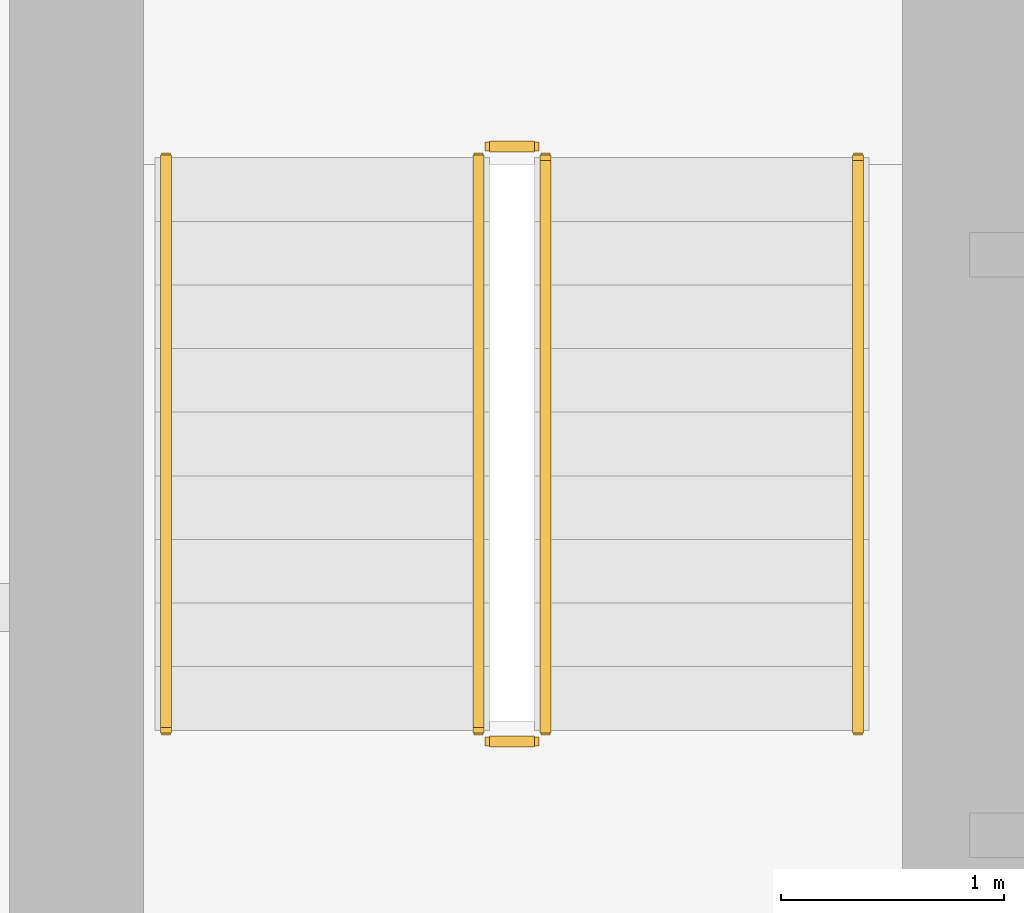
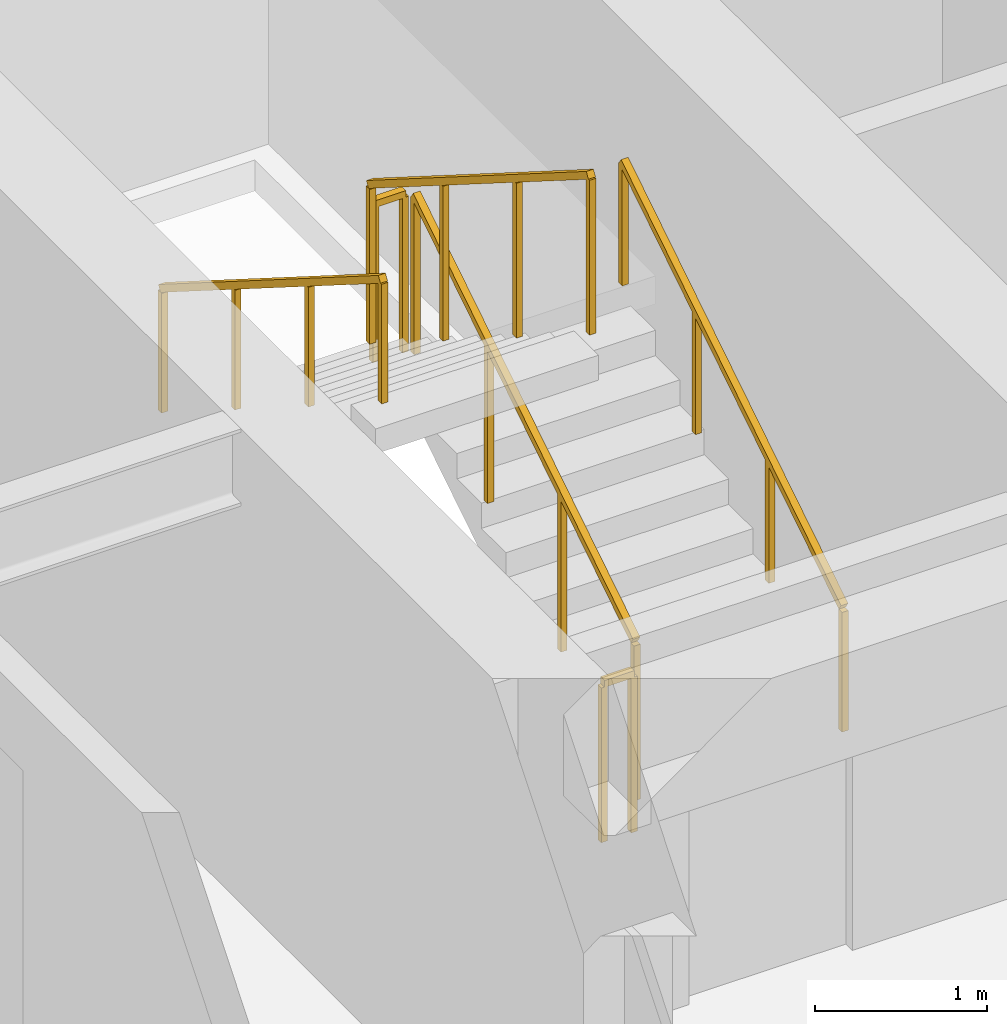
# One storey, part 24 of 26: 6 railings.
"""IFC4 building model written with IfcOpenShell, lengths in metres."""

from ifc_helpers import new_model, si_unit, direction, frame, origin, origin_2d, place, context, subcontext, project, spatial, rectangle, extrude, material, type_object, element, save


model = new_model("IFC4")

# Units and contexts
model_context = context("Model", 3, precision=1e-05, world=origin(), true_north=direction((0.0, 1.0)))
body_context = subcontext(model_context, "Body", "Model", "MODEL_VIEW")
ifc_project = project(units=[si_unit("LENGTHUNIT", "METRE"), si_unit("AREAUNIT", "SQUARE_METRE"), si_unit("VOLUMEUNIT", "CUBIC_METRE"), si_unit("PLANEANGLEUNIT", "RADIAN"), si_unit("MASSUNIT", "GRAM", prefix="KILO")], contexts=[model_context])

# Site, building, storey
site_placement = place(None, origin())
site = spatial("IfcSite", under=ifc_project, at=site_placement, CompositionType="ELEMENT")
building_placement = place(site_placement, origin())
building = spatial("IfcBuilding", under=site, at=building_placement, Name="Sarneth Arch Tower", CompositionType="ELEMENT")
storey_placement = place(building_placement, frame((0.0, 0.0, 46.199951171875)))
storey = spatial("IfcBuildingStorey", under=building, at=storey_placement, Name="L10", CompositionType="ELEMENT", Elevation=46.199951171875)

# Railings
ifc_material_1 = material(Name="Brushed Stainless Steel 304 tubular handrail", Category="steel")
railing_type_1 = type_object("IfcRailingType", Name="RAIL-HANDRAIL-900", PredefinedType="HANDRAIL", material=ifc_material_1)
railing_1_placement = place(storey_placement, frame((40.5, 41.449951171875, 0.179931640625)))
element("IfcRailing", 1, at=railing_1_placement, inside=storey, type_object=railing_type_1, Name="L10 ST-1 stair handrail 1", PredefinedType="HANDRAIL", context=body_context, shape_type="SweptSolid", body=[
    extrude(rectangle(XDim=0.048095703125, YDim=0.048095703125, at=origin_2d()), frame((0.0, 0.0, 0.8759765625), z_axis=(0.0, 0.845465955043, 0.534029323973), x_axis=(-1.0, 0.0, 0.0)), (0.0, 0.0, 1.0), 3.03369140625),
    extrude(rectangle(XDim=0.0419921875, YDim=0.0419921875, at=origin_2d()), origin(), (0.0, 0.0, 1.0), 0.851806640625),
    extrude(rectangle(XDim=0.0419921875, YDim=0.0419921875, at=origin_2d()), frame((0.0, 0.85498046875, 0.5400390625)), (0.0, 0.0, 1.0), 0.851806640625),
    extrude(rectangle(XDim=0.0419921875, YDim=0.0419921875, at=origin_2d()), frame((0.0, 1.7099609375, 1.080078125)), (0.0, 0.0, 1.0), 0.851806640625),
    extrude(rectangle(XDim=0.0419921875, YDim=0.0419921875, at=origin_2d()), frame((0.0, 2.56494140625, 1.6201171875)), (0.0, 0.0, 1.0), 0.851806640625),
])
railing_2_placement = place(storey_placement, frame((37.39990234375, 44.014892578125, 1.97998046875)))
element("IfcRailing", 2, at=railing_2_placement, inside=storey, type_object=railing_type_1, Name="L10 ST-1 stair handrail 2", PredefinedType="HANDRAIL", context=body_context, shape_type="SweptSolid", body=[
    extrude(rectangle(XDim=0.048095703125, YDim=0.048095703125, at=origin_2d()), frame((0.0, 0.0, 0.8759765625), z_axis=(0.0, -0.845465955043, 0.534029323973), x_axis=(1.0, 0.0, 0.0)), (0.0, 0.0, 1.0), 3.03369140625),
    extrude(rectangle(XDim=0.0419921875, YDim=0.0419921875, at=origin_2d()), origin(), (0.0, 0.0, 1.0), 0.851806640625),
    extrude(rectangle(XDim=0.0419921875, YDim=0.0419921875, at=origin_2d()), frame((0.0, -0.85498046875, 0.5400390625)), (0.0, 0.0, 1.0), 0.851806640625),
    extrude(rectangle(XDim=0.0419921875, YDim=0.0419921875, at=origin_2d()), frame((0.0, -1.7099609375, 1.080078125)), (0.0, 0.0, 1.0), 0.851806640625),
    extrude(rectangle(XDim=0.0419921875, YDim=0.0419921875, at=origin_2d()), frame((0.0, -2.56494140625, 1.6201171875)), (0.0, 0.0, 1.0), 0.851806640625),
])
ifc_material_2 = material(Name="Painted Steel S275 stair well guard", Category="steel")
railing_type_2 = type_object("IfcRailingType", Name="RAIL-STAIR-GUARD", PredefinedType="GUARDRAIL", material=ifc_material_2)
railing_3_placement = place(storey_placement, frame((39.10009765625, 41.449951171875, 0.179931640625)))
element("IfcRailing", 3, at=railing_3_placement, inside=storey, type_object=railing_type_2, Name="L10 ST-1 stair guard 1", PredefinedType="GUARDRAIL", context=body_context, shape_type="SweptSolid", body=[
    extrude(rectangle(XDim=0.048095703125, YDim=0.048095703125, at=origin_2d()), frame((0.0, 0.0, 1.1259765625), z_axis=(0.0, 0.845465955043, 0.534029323973), x_axis=(-1.0, 0.0, 0.0)), (0.0, 0.0, 1.0), 3.03369140625),
    extrude(rectangle(XDim=0.0419921875, YDim=0.0419921875, at=origin_2d()), origin(), (0.0, 0.0, 1.0), 1.101806640625),
    extrude(rectangle(XDim=0.0419921875, YDim=0.0419921875, at=origin_2d()), frame((0.0, 0.85498046875, 0.5400390625)), (0.0, 0.0, 1.0), 1.101806640625),
    extrude(rectangle(XDim=0.0419921875, YDim=0.0419921875, at=origin_2d()), frame((0.0, 1.7099609375, 1.080078125)), (0.0, 0.0, 1.0), 1.101806640625),
    extrude(rectangle(XDim=0.0419921875, YDim=0.0419921875, at=origin_2d()), frame((0.0, 2.56494140625, 1.6201171875)), (0.0, 0.0, 1.0), 1.101806640625),
])
railing_4_placement = place(storey_placement, frame((39.050048828125, 44.06494140625, 1.800048828125)))
element("IfcRailing", 4, at=railing_4_placement, inside=storey, type_object=railing_type_2, Name="L10 ST-1 stair guard 2", PredefinedType="GUARDRAIL", context=body_context, shape_type="SweptSolid", body=[
    extrude(rectangle(XDim=0.048095703125, YDim=0.048095703125, at=origin_2d()), frame((0.0, 0.0, 1.1259765625), z_axis=(-1.0, 0.0, 0.0), x_axis=(0.0, -1.0, 0.0)), (0.0, 0.0, 1.0), 0.199951171875),
    extrude(rectangle(XDim=0.0419921875, YDim=0.0419921875, at=origin_2d()), origin(), (0.0, 0.0, 1.0), 1.101806640625),
    extrude(rectangle(XDim=0.0419921875, YDim=0.0419921875, at=origin_2d()), frame((-0.199951171875, 0.0, 0.0)), (0.0, 0.0, 1.0), 1.101806640625),
])
railing_5_placement = place(storey_placement, frame((38.800048828125, 44.014892578125, 1.97998046875)))
element("IfcRailing", 5, at=railing_5_placement, inside=storey, type_object=railing_type_2, Name="L10 ST-1 stair guard 3", PredefinedType="GUARDRAIL", context=body_context, shape_type="SweptSolid", body=[
    extrude(rectangle(XDim=0.048095703125, YDim=0.048095703125, at=origin_2d()), frame((0.0, 0.0, 1.1259765625), z_axis=(0.0, -0.845465955043, 0.534029323973), x_axis=(1.0, 0.0, 0.0)), (0.0, 0.0, 1.0), 3.03369140625),
    extrude(rectangle(XDim=0.0419921875, YDim=0.0419921875, at=origin_2d()), origin(), (0.0, 0.0, 1.0), 1.101806640625),
    extrude(rectangle(XDim=0.0419921875, YDim=0.0419921875, at=origin_2d()), frame((0.0, -0.85498046875, 0.5400390625)), (0.0, 0.0, 1.0), 1.101806640625),
    extrude(rectangle(XDim=0.0419921875, YDim=0.0419921875, at=origin_2d()), frame((0.0, -1.7099609375, 1.080078125)), (0.0, 0.0, 1.0), 1.101806640625),
    extrude(rectangle(XDim=0.0419921875, YDim=0.0419921875, at=origin_2d()), frame((0.0, -2.56494140625, 1.6201171875)), (0.0, 0.0, 1.0), 1.101806640625),
])
railing_6_placement = place(storey_placement, frame((39.050048828125, 41.39990234375, 0.0)))
element("IfcRailing", 6, at=railing_6_placement, inside=storey, type_object=railing_type_2, Name="L10 ST-1 stair guard 4", PredefinedType="GUARDRAIL", context=body_context, shape_type="SweptSolid", body=[
    extrude(rectangle(XDim=0.048095703125, YDim=0.048095703125, at=origin_2d()), frame((0.0, 0.0, 1.1259765625), z_axis=(-1.0, 0.0, 0.0), x_axis=(0.0, -1.0, 0.0)), (0.0, 0.0, 1.0), 0.199951171875),
    extrude(rectangle(XDim=0.0419921875, YDim=0.0419921875, at=origin_2d()), origin(), (0.0, 0.0, 1.0), 1.101806640625),
    extrude(rectangle(XDim=0.0419921875, YDim=0.0419921875, at=origin_2d()), frame((-0.199951171875, 0.0, 0.0)), (0.0, 0.0, 1.0), 1.101806640625),
])

save(model, "model.ifc")
